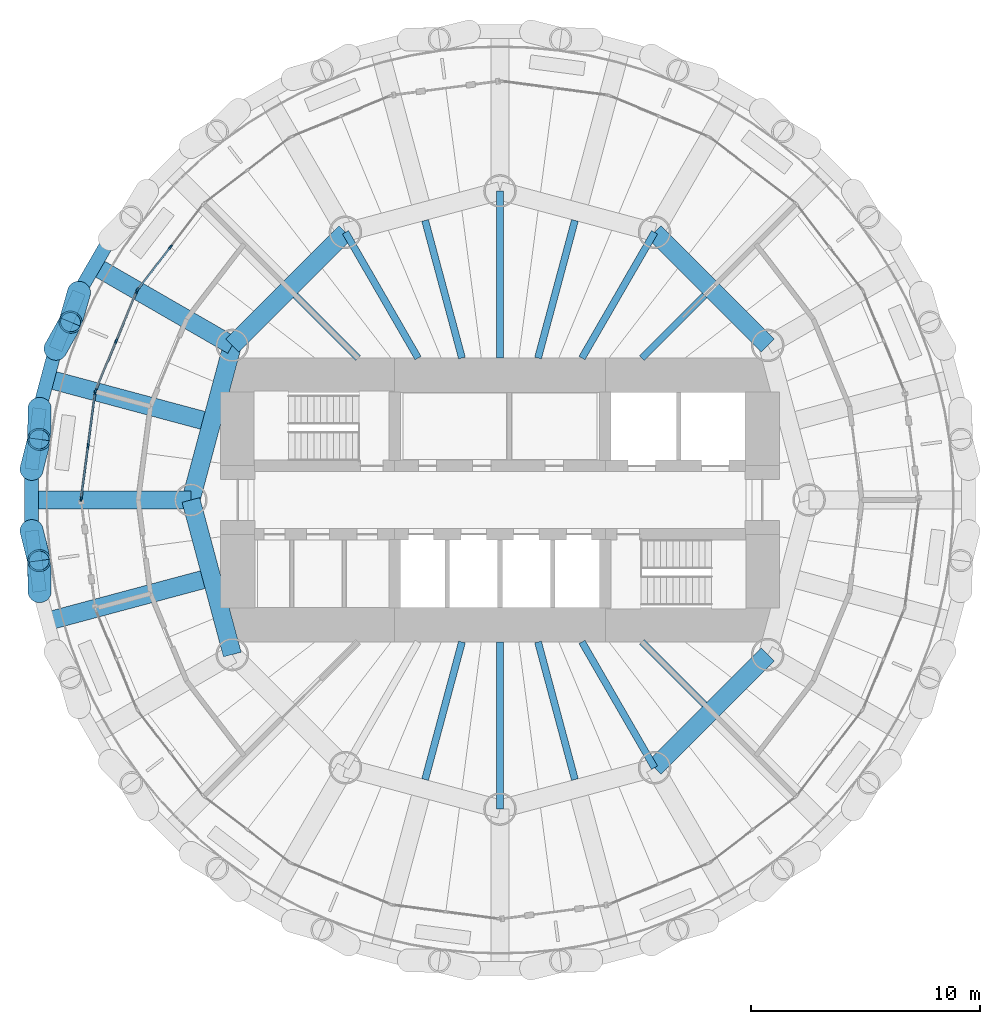
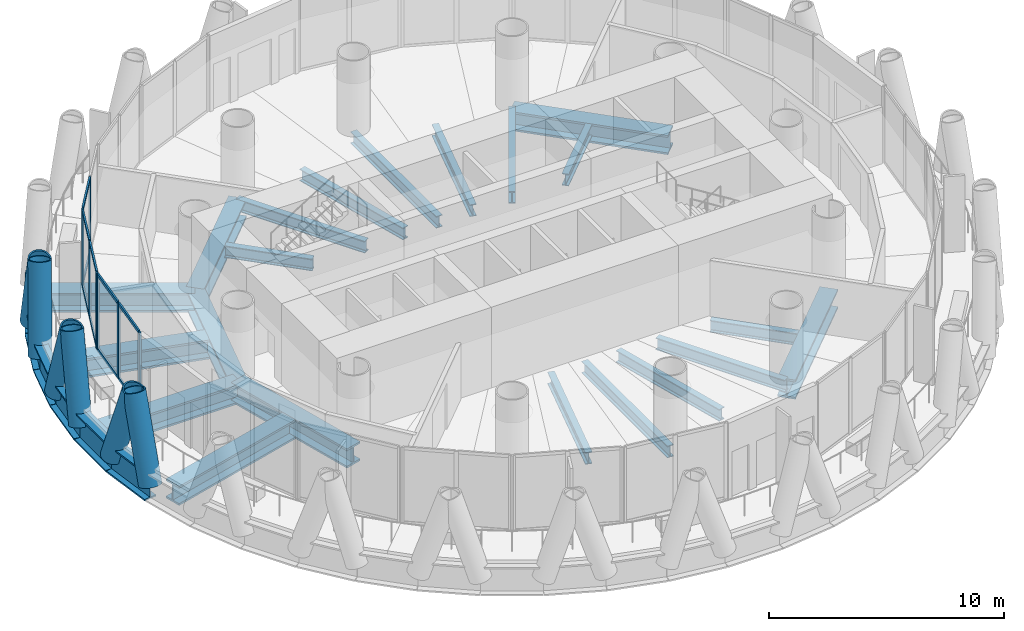
# One storey, part 3 of 13: 27 beams, 24 members, 3 elements without a shape of their own.
"""IFC4 building model written with IfcOpenShell, lengths in metres."""

import ifcopenshell
import ifcopenshell.guid

model = None  # the IFC model being written
_history = None  # IfcOwnerHistory: only IFC2X3 demands one
_inside = {}  # id of a spatial element -> (the spatial element, [elements in it])
_under = {}  # id of a project, library or spatial element -> (it, [spatial elements below it])
_declared = {}  # id of a project -> (the project, [libraries it declares])
_typed = {}  # id of a type object -> (the type object, [elements of that type])
_made_of = {}  # id of a material, layer set ... -> (it, [elements and type objects made of it])


def new_model(schema):
    """Start an empty IFC model of exactly this schema.

    Asked for "IFC4X3", IfcOpenShell would pick the latest addendum, in which some entities
    have other attributes; the version numbers below select the first issue.
    IFC2X3 requires an IfcOwnerHistory on every rooted entity: one is made here for all.
    """
    global model, _history
    if schema == "IFC4X3":
        model = ifcopenshell.file(schema_version=(4, 3, 0, 0))
    else:
        model = ifcopenshell.file(schema=schema)
    _inside.clear()
    _under.clear()
    _declared.clear()
    _typed.clear()
    _made_of.clear()
    _history = None
    if model.schema == "IFC2X3":
        org = make("IfcOrganization", Name="unknown")
        user = make(
            "IfcPersonAndOrganization",
            ThePerson=make("IfcPerson", FamilyName="unknown"),
            TheOrganization=org,
        )
        app = make(
            "IfcApplication",
            ApplicationDeveloper=org,
            Version="unknown",
            ApplicationFullName="unknown",
            ApplicationIdentifier="unknown",
        )
        _history = make(
            "IfcOwnerHistory",
            OwningUser=user,
            OwningApplication=app,
            ChangeAction="ADDED",
            CreationDate=0,
        )
    return model


def make(cls, **values):
    """One entity of the class cls with the attributes given. An attribute that is None is left unset."""
    return model.create_entity(
        cls, **{name: value for name, value in values.items() if value is not None}
    )


def rooted(cls, **values):
    """An entity with a GlobalId (a new one), such as an element, a storey or a relation."""
    return make(cls, GlobalId=ifcopenshell.guid.new(), OwnerHistory=_history, **values)


def si_unit(unit_type, name, prefix=None):
    """IfcSIUnit, for example si_unit("LENGTHUNIT", "METRE", prefix="MILLI")."""
    return make("IfcSIUnit", UnitType=unit_type, Prefix=prefix, Name=name)


def assignment(units):
    """IfcUnitAssignment: the units of a project."""
    return None if units is None else make("IfcUnitAssignment", Units=units)


def point(xyz):
    """IfcCartesianPoint."""
    return None if xyz is None else make("IfcCartesianPoint", Coordinates=xyz)


def direction(xyz):
    """IfcDirection."""
    return None if xyz is None else make("IfcDirection", DirectionRatios=xyz)


def frame(location, z_axis=None, x_axis=None):
    """IfcAxis2Placement3D, a coordinate frame: its origin and axes. An axis left out is left unset."""
    return make(
        "IfcAxis2Placement3D",
        Location=point(location),
        Axis=direction(z_axis),
        RefDirection=direction(x_axis),
    )


def frame_2d(location, x_axis=None):
    """IfcAxis2Placement2D, a coordinate frame in the plane: its origin and x axis."""
    return make(
        "IfcAxis2Placement2D", Location=point(location), RefDirection=direction(x_axis)
    )


def origin():
    """The frame at (0, 0, 0) with its axes left unset."""
    return frame((0.0, 0.0, 0.0))


def origin_2d():
    """The frame at (0, 0) in the plane with its x axis left unset."""
    return frame_2d((0.0, 0.0))


def place(relative_to, where):
    """IfcLocalPlacement: puts the frame where relative to a parent placement (None: the world)."""
    return make(
        "IfcLocalPlacement", PlacementRelTo=relative_to, RelativePlacement=where
    )


def context(
    kind, dimensions, precision=None, world=None, true_north=None, identifier=None
):
    """IfcGeometricRepresentationContext, for example the 3D "Model" context."""
    return make(
        "IfcGeometricRepresentationContext",
        ContextIdentifier=identifier,
        ContextType=kind,
        CoordinateSpaceDimension=dimensions,
        Precision=precision,
        WorldCoordinateSystem=world,
        TrueNorth=true_north,
    )


def subcontext(parent, identifier, kind, view, scale=None):
    """IfcGeometricRepresentationSubContext, for example "Body" below "Model"."""
    return make(
        "IfcGeometricRepresentationSubContext",
        ContextIdentifier=identifier,
        ContextType=kind,
        ParentContext=parent,
        TargetScale=scale,
        TargetView=view,
    )


def project(units=None, contexts=None):
    """IfcProject with its units and contexts."""
    return rooted(
        "IfcProject",
        Name="project",
        RepresentationContexts=contexts,
        UnitsInContext=assignment(units),
    )


def spatial(cls, under=None, at=None, **own):
    """A site, building, storey or space (cls), placed at a placement, below another one or the project."""
    s = rooted(cls, ObjectPlacement=at, **own)
    if under is not None:
        _under.setdefault(under.id(), (under, []))[1].append(s)
    return s


def profile(cls, at=None, kind="AREA", **sizes):
    """A parametric profile (cls). Its sizes go by their IFC names, for example OverallWidth=200.0."""
    return make(cls, ProfileType=kind, Position=at, **sizes)


def rectangle(**sizes):
    """IfcRectangleProfileDef."""
    return profile("IfcRectangleProfileDef", **sizes)


def hollow_circle(**sizes):
    """IfcCircleHollowProfileDef."""
    return profile("IfcCircleHollowProfileDef", **sizes)


def i_section(**sizes):
    """IfcIShapeProfileDef."""
    return profile("IfcIShapeProfileDef", **sizes)


def extrude(swept, where, along, depth):
    """IfcExtrudedAreaSolid: the profile swept, set in the frame where, extruded along a direction by depth."""
    return make(
        "IfcExtrudedAreaSolid",
        SweptArea=swept,
        Position=where,
        ExtrudedDirection=direction(along),
        Depth=depth,
    )


def shape(context_of_items, identifier, shape_type, items):
    """IfcShapeRepresentation: the items that make up one representation, for example the "Body"."""
    return make(
        "IfcShapeRepresentation",
        ContextOfItems=context_of_items,
        RepresentationIdentifier=identifier,
        RepresentationType=shape_type,
        Items=items,
    )


def material(Name=None, Category=None):
    """IfcMaterial."""
    return make("IfcMaterial", Name=Name, Category=Category)


def material_profile(
    of_material, cross_section, Name=None, Category=None, Priority=None
):
    """IfcMaterialProfile: a cross section and its material."""
    return make(
        "IfcMaterialProfile",
        Name=Name,
        Material=of_material,
        Profile=cross_section,
        Priority=Priority,
        Category=Category,
    )


def profile_set(profiles, Name=None, composite=None):
    """IfcMaterialProfileSet."""
    return make(
        "IfcMaterialProfileSet",
        Name=Name,
        MaterialProfiles=profiles,
        CompositeProfile=composite,
    )


def made_of(thing, what):
    """Note that an element or type object is made of a material, layer set ...; save() writes the relation."""
    if what is not None:
        _made_of.setdefault(what.id(), (what, []))[1].append(thing)
    return thing


def type_object(cls, material=None, **own):
    """A type object (cls), such as IfcWallType, which elements share."""
    return made_of(rooted(cls, **own), material)


def element(
    cls,
    number,
    at=None,
    inside=None,
    cuts=None,
    type_object=None,
    material=None,
    context=None,
    identifier="Body",
    shape_type=None,
    held_by="IfcProductDefinitionShape",
    body=None,
    shapes=None,
    **own,
):
    """One element of the class cls, such as IfcWall. Its Tag is "e" and its number.

    at: its placement. inside: the storey or other place that contains it. cuts: it is an
    opening in that element (IfcRelVoidsElement). A single representation is given by context,
    identifier, shape_type and body (its items); several are given by shapes. held_by: the class
    of the entity that holds the representations. save() writes the other relations.
    """
    e = rooted(cls, Tag="e%d" % number, ObjectPlacement=at, **own)
    if body is not None:
        shapes = [shape(context, identifier, shape_type, body)]
    if shapes is not None:
        e.Representation = make(held_by, Representations=shapes)
    if inside is not None:
        _inside.setdefault(inside.id(), (inside, []))[1].append(e)
    if cuts is not None:
        rooted(
            "IfcRelVoidsElement", RelatingBuildingElement=cuts, RelatedOpeningElement=e
        )
    if type_object is not None:
        _typed.setdefault(type_object.id(), (type_object, []))[1].append(e)
    return made_of(e, material)


def aggregate(whole, parts):
    """IfcRelAggregates: a whole, such as a stair, and the parts it consists of."""
    return rooted("IfcRelAggregates", RelatingObject=whole, RelatedObjects=parts)


def save(model, path):
    """Write the relations noted so far, then the file.

    IfcRelAggregates (storeys below a building ...), IfcRelContainedInSpatialStructure (elements
    in a storey), IfcRelDefinesByType, IfcRelAssociatesMaterial and IfcRelDeclares: one each for
    every whole, place, type object, material and project.
    """
    for whole, parts in _under.values():
        aggregate(whole, parts)
    for where, things in _inside.values():
        rooted(
            "IfcRelContainedInSpatialStructure",
            RelatedElements=things,
            RelatingStructure=where,
        )
    for kind, things in _typed.values():
        rooted("IfcRelDefinesByType", RelatedObjects=things, RelatingType=kind)
    for what, things in _made_of.values():
        rooted("IfcRelAssociatesMaterial", RelatedObjects=things, RelatingMaterial=what)
    for by, libraries in _declared.values():
        rooted("IfcRelDeclares", RelatingContext=by, RelatedDefinitions=libraries)
    model.write(path)


model = new_model("IFC4")

# Units and contexts
model_context = context("Model", 3, precision=1e-05, world=origin(), true_north=direction((0.0, 1.0)))
body_context = subcontext(model_context, "Body", "Model", "MODEL_VIEW")
ifc_project = project(units=[si_unit("LENGTHUNIT", "METRE"), si_unit("AREAUNIT", "SQUARE_METRE"), si_unit("VOLUMEUNIT", "CUBIC_METRE"), si_unit("PLANEANGLEUNIT", "RADIAN"), si_unit("MASSUNIT", "GRAM", prefix="KILO")], contexts=[model_context])

# Site, building, storey
site_placement = place(None, origin())
site = spatial("IfcSite", under=ifc_project, at=site_placement, CompositionType="ELEMENT")
building_placement = place(site_placement, origin())
building = spatial("IfcBuilding", under=site, at=building_placement, Name="Qaws Media Tower", CompositionType="ELEMENT")
storey_placement = place(building_placement, frame((0.0, 0.0, 282.199951171875)))
storey = spatial("IfcBuildingStorey", under=building, at=storey_placement, Name="L65", CompositionType="ELEMENT", Elevation=282.199951171875)

# Curtain wall, members
ifc_material_1 = material(Name="Aluminium and clear glass", Category="aluminium")
curtain_wall_type = type_object("IfcCurtainWallType", Name="Unitised curtain wall CW-D", PredefinedType="NOTDEFINED", material=ifc_material_1)
curtain_wall_1_placement = place(storey_placement, origin())
curtain_wall_1 = element("IfcCurtainWall", 1, at=curtain_wall_1_placement, inside=storey, type_object=curtain_wall_type, Name="CWD curtain wall L65-10", PredefinedType="NOTDEFINED")
ifc_material_2 = material(Name="Aluminium mullion", Category="aluminium")
ifc_material_profile_1 = material_profile(ifc_material_2, rectangle(XDim=0.080078125, YDim=0.199951171875, at=origin_2d()), Name="80x200")
ifc_profile_set_1 = profile_set([ifc_material_profile_1], Name="Aluminium mullion")
member_type_1 = type_object("IfcMemberType", Name="Curtain wall mullion 80x200", PredefinedType="MULLION", material=ifc_profile_set_1)
member_1_placement = place(storey_placement, frame((45.60595703125, 61.044921875, 0.0), z_axis=(0.0, 0.0, 1.0), x_axis=(0.793353311997, -0.608761465882, 0.0)))
member_1 = element("IfcMember", 2, at=member_1_placement, type_object=member_type_1, Name="CWD mullion 2", PredefinedType="MULLION", context=body_context, shape_type="SweptSolid", body=[
    extrude(rectangle(XDim=0.080078125, YDim=0.199951171875, at=origin_2d()), origin(), (0.0, 0.0, 1.0), 3.949951171875),
])
member_2_placement = place(storey_placement, frame((44.176025390625, 59.181640625, 0.0), z_axis=(0.0, 0.0, 1.0), x_axis=(0.793353311997, -0.608761465882, 0.0)))
member_2 = element("IfcMember", 3, at=member_2_placement, type_object=member_type_1, Name="CWD mullion 3", PredefinedType="MULLION", context=body_context, shape_type="SweptSolid", body=[
    extrude(rectangle(XDim=0.080078125, YDim=0.199951171875, at=origin_2d()), origin(), (0.0, 0.0, 1.0), 3.949951171875),
])

curtain_wall_2_placement = place(storey_placement, origin())
curtain_wall_2 = element("IfcCurtainWall", 4, at=curtain_wall_2_placement, inside=storey, type_object=curtain_wall_type, Name="CWD curtain wall L65-11", PredefinedType="NOTDEFINED")
member_3_placement = place(storey_placement, frame((44.136474609375, 59.113037109375, 0.0), z_axis=(0.0, 0.0, 1.0), x_axis=(0.923879498114, -0.382683515407, 0.0)))
member_3 = element("IfcMember", 5, at=member_3_placement, type_object=member_type_1, Name="CWD mullion 1", PredefinedType="MULLION", context=body_context, shape_type="SweptSolid", body=[
    extrude(rectangle(XDim=0.080078125, YDim=0.199951171875, at=origin_2d()), origin(), (0.0, 0.0, 1.0), 3.949951171875),
])
member_4_placement = place(storey_placement, frame((43.237548828125, 56.943115234375, 0.0), z_axis=(0.0, 0.0, 1.0), x_axis=(0.923879498114, -0.382683515407, 0.0)))
member_4 = element("IfcMember", 6, at=member_4_placement, type_object=member_type_1, Name="CWD mullion 2", PredefinedType="MULLION", context=body_context, shape_type="SweptSolid", body=[
    extrude(rectangle(XDim=0.080078125, YDim=0.199951171875, at=origin_2d()), origin(), (0.0, 0.0, 1.0), 3.949951171875),
])
member_5_placement = place(storey_placement, frame((42.3388671875, 54.7734375, 0.0), z_axis=(0.0, 0.0, 1.0), x_axis=(0.923879498114, -0.382683515407, 0.0)))
member_5 = element("IfcMember", 7, at=member_5_placement, type_object=member_type_1, Name="CWD mullion 3", PredefinedType="MULLION", context=body_context, shape_type="SweptSolid", body=[
    extrude(rectangle(XDim=0.080078125, YDim=0.199951171875, at=origin_2d()), origin(), (0.0, 0.0, 1.0), 3.949951171875),
])

curtain_wall_3_placement = place(storey_placement, origin())
curtain_wall_3 = element("IfcCurtainWall", 8, at=curtain_wall_3_placement, inside=storey, type_object=curtain_wall_type, Name="CWD curtain wall L65-12", PredefinedType="NOTDEFINED")
member_6_placement = place(storey_placement, frame((42.318359375, 54.69677734375, 0.0), z_axis=(0.0, 0.0, 1.0), x_axis=(0.991444873332, -0.130526101391, 0.0)))
member_6 = element("IfcMember", 9, at=member_6_placement, type_object=member_type_1, Name="CWD mullion 1", PredefinedType="MULLION", context=body_context, shape_type="SweptSolid", body=[
    extrude(rectangle(XDim=0.080078125, YDim=0.199951171875, at=origin_2d()), origin(), (0.0, 0.0, 1.0), 3.949951171875),
])
member_7_placement = place(storey_placement, frame((42.01171875, 52.3681640625, 0.0), z_axis=(0.0, 0.0, 1.0), x_axis=(0.991444873332, -0.130526101391, 0.0)))
member_7 = element("IfcMember", 10, at=member_7_placement, type_object=member_type_1, Name="CWD mullion 2", PredefinedType="MULLION", context=body_context, shape_type="SweptSolid", body=[
    extrude(rectangle(XDim=0.080078125, YDim=0.199951171875, at=origin_2d()), origin(), (0.0, 0.0, 1.0), 3.949951171875),
])
member_8_placement = place(storey_placement, frame((41.705322265625, 50.03955078125, 0.0), z_axis=(0.0, 0.0, 1.0), x_axis=(0.991444873332, -0.130526101391, 0.0)))
member_8 = element("IfcMember", 11, at=member_8_placement, type_object=member_type_1, Name="CWD mullion 3", PredefinedType="MULLION", context=body_context, shape_type="SweptSolid", body=[
    extrude(rectangle(XDim=0.080078125, YDim=0.199951171875, at=origin_2d()), origin(), (0.0, 0.0, 1.0), 3.949951171875),
])

# Member
ifc_material_3 = material(Name="Aluminium transom", Category="aluminium")
ifc_material_profile_2 = material_profile(ifc_material_3, rectangle(XDim=0.080078125, YDim=0.159912109375, at=origin_2d()), Name="80x160")
ifc_profile_set_2 = profile_set([ifc_material_profile_2], Name="Aluminium transom")
member_type_2 = type_object("IfcMemberType", Name="Curtain wall transom 80x160", PredefinedType="USERDEFINED", material=ifc_profile_set_2)
member_9_placement = place(storey_placement, frame((45.58154296875, 61.01318359375, 0.0400390625), z_axis=(-0.608779408493, -0.793339543824, 0.0), x_axis=(0.793339543824, -0.608779408493, 0.0)))
member_9 = element("IfcMember", 12, at=member_9_placement, type_object=member_type_2, Name="CWD transom 2.1", ObjectType="TRANSOM", PredefinedType="USERDEFINED", context=body_context, shape_type="SweptSolid", body=[
    extrude(rectangle(XDim=0.080078125, YDim=0.159912109375, at=origin_2d()), origin(), (0.0, 0.0, 1.0), 2.2685546875),
])

member_10_placement = place(storey_placement, frame((45.58154296875, 61.01318359375, 3.91015625), z_axis=(-0.608779408493, -0.793339543824, 0.0), x_axis=(0.793339543824, -0.608779408493, 0.0)))
member_10 = element("IfcMember", 13, at=member_10_placement, type_object=member_type_2, Name="CWD transom 2.2", ObjectType="TRANSOM", PredefinedType="USERDEFINED", context=body_context, shape_type="SweptSolid", body=[
    extrude(rectangle(XDim=0.080078125, YDim=0.159912109375, at=origin_2d()), origin(), (0.0, 0.0, 1.0), 2.2685546875),
])

aggregate(curtain_wall_1, [member_1, member_2, member_9, member_10])

member_11_placement = place(storey_placement, frame((44.12109375, 59.076171875, 0.0400390625), z_axis=(-0.382681279912, -0.923880424084, 0.0), x_axis=(0.923880424084, -0.382681279912, 0.0)))
member_11 = element("IfcMember", 14, at=member_11_placement, type_object=member_type_2, Name="CWD transom 1.1", ObjectType="TRANSOM", PredefinedType="USERDEFINED", context=body_context, shape_type="SweptSolid", body=[
    extrude(rectangle(XDim=0.080078125, YDim=0.159912109375, at=origin_2d()), origin(), (0.0, 0.0, 1.0), 2.2685546875),
])

member_12_placement = place(storey_placement, frame((44.12109375, 59.076171875, 3.91015625), z_axis=(-0.382681279912, -0.923880424084, 0.0), x_axis=(0.923880424084, -0.382681279912, 0.0)))
member_12 = element("IfcMember", 15, at=member_12_placement, type_object=member_type_2, Name="CWD transom 1.2", ObjectType="TRANSOM", PredefinedType="USERDEFINED", context=body_context, shape_type="SweptSolid", body=[
    extrude(rectangle(XDim=0.080078125, YDim=0.159912109375, at=origin_2d()), origin(), (0.0, 0.0, 1.0), 2.2685546875),
])

member_13_placement = place(storey_placement, frame((43.222412109375, 56.90625, 0.0400390625), z_axis=(-0.382681279912, -0.923880424084, 0.0), x_axis=(0.923880424084, -0.382681279912, 0.0)))
member_13 = element("IfcMember", 16, at=member_13_placement, type_object=member_type_2, Name="CWD transom 2.1", ObjectType="TRANSOM", PredefinedType="USERDEFINED", context=body_context, shape_type="SweptSolid", body=[
    extrude(rectangle(XDim=0.080078125, YDim=0.159912109375, at=origin_2d()), origin(), (0.0, 0.0, 1.0), 2.2685546875),
])

member_14_placement = place(storey_placement, frame((43.222412109375, 56.90625, 3.91015625), z_axis=(-0.382681279912, -0.923880424084, 0.0), x_axis=(0.923880424084, -0.382681279912, 0.0)))
member_14 = element("IfcMember", 17, at=member_14_placement, type_object=member_type_2, Name="CWD transom 2.2", ObjectType="TRANSOM", PredefinedType="USERDEFINED", context=body_context, shape_type="SweptSolid", body=[
    extrude(rectangle(XDim=0.080078125, YDim=0.159912109375, at=origin_2d()), origin(), (0.0, 0.0, 1.0), 2.2685546875),
])

aggregate(curtain_wall_2, [member_3, member_4, member_5, member_11, member_12, member_13, member_14])

member_15_placement = place(storey_placement, frame((42.313232421875, 54.656982421875, 0.0400390625), z_axis=(-0.130549169259, -0.991441836118, 0.0), x_axis=(0.991441836118, -0.130549169259, 0.0)))
member_15 = element("IfcMember", 18, at=member_15_placement, type_object=member_type_2, Name="CWD transom 1.1", ObjectType="TRANSOM", PredefinedType="USERDEFINED", context=body_context, shape_type="SweptSolid", body=[
    extrude(rectangle(XDim=0.080078125, YDim=0.159912109375, at=origin_2d()), origin(), (0.0, 0.0, 1.0), 2.2685546875),
])

member_16_placement = place(storey_placement, frame((42.313232421875, 54.656982421875, 3.91015625), z_axis=(-0.130549169259, -0.991441836118, 0.0), x_axis=(0.991441836118, -0.130549169259, 0.0)))
member_16 = element("IfcMember", 19, at=member_16_placement, type_object=member_type_2, Name="CWD transom 1.2", ObjectType="TRANSOM", PredefinedType="USERDEFINED", context=body_context, shape_type="SweptSolid", body=[
    extrude(rectangle(XDim=0.080078125, YDim=0.159912109375, at=origin_2d()), origin(), (0.0, 0.0, 1.0), 2.2685546875),
])

member_17_placement = place(storey_placement, frame((42.006591796875, 52.32861328125, 0.0400390625), z_axis=(-0.130535240618, -0.991443670088, 0.0), x_axis=(0.991443670088, -0.130535240618, 0.0)))
member_17 = element("IfcMember", 20, at=member_17_placement, type_object=member_type_2, Name="CWD transom 2.1", ObjectType="TRANSOM", PredefinedType="USERDEFINED", context=body_context, shape_type="SweptSolid", body=[
    extrude(rectangle(XDim=0.080078125, YDim=0.159912109375, at=origin_2d()), origin(), (0.0, 0.0, 1.0), 2.268798828125),
])

member_18_placement = place(storey_placement, frame((42.006591796875, 52.32861328125, 3.91015625), z_axis=(-0.130535240618, -0.991443670088, 0.0), x_axis=(0.991443670088, -0.130535240618, 0.0)))
member_18 = element("IfcMember", 21, at=member_18_placement, type_object=member_type_2, Name="CWD transom 2.2", ObjectType="TRANSOM", PredefinedType="USERDEFINED", context=body_context, shape_type="SweptSolid", body=[
    extrude(rectangle(XDim=0.080078125, YDim=0.159912109375, at=origin_2d()), origin(), (0.0, 0.0, 1.0), 2.268798828125),
])

aggregate(curtain_wall_3, [member_6, member_7, member_8, member_15, member_16, member_17, member_18])

# Members
ifc_material_4 = material(Name="Steel S460", Category="steel")
ifc_material_profile_3 = material_profile(ifc_material_4, hollow_circle(Radius=0.508056640625, WallThickness=0.070068359375, at=origin_2d()), Name="CHS 1016x70")
ifc_profile_set_3 = profile_set([ifc_material_profile_3], Name="Steel S460")
member_type_3 = type_object("IfcMemberType", Name="Diagrid member CHS 1016x70", PredefinedType="USERDEFINED", material=ifc_profile_set_3)
member_19_placement = place(storey_placement, frame((41.614013671875, 59.06689453125, -0.909912109375), z_axis=(-0.085221723716, -0.300138494517, 0.950081123861), x_axis=(0.961973173283, -0.273143943523, 0.0)))
element("IfcMember", 22, at=member_19_placement, inside=storey, type_object=member_type_3, Name="DG3 diagrid L65 A11", ObjectType="DIAGRID", PredefinedType="USERDEFINED", context=body_context, shape_type="SweptSolid", body=[
    extrude(hollow_circle(Radius=0.508056640625, WallThickness=0.070068359375, at=origin_2d()), origin(), (0.0, 0.0, 1.0), 4.32568359375),
])
for number, where, z_axis, x_axis, name in (
    (23, (39.893798828125, 53.999267578125, -0.909912109375), (-0.00462790309, -0.311988393673, 0.95007464166), (0.999890000686, -0.014831942847, 0.0), "DG3 diagrid L65 A12"),
    (24, (40.587890625, 56.589599609375, -0.909912109375), (0.151985662051, 0.272535745282, 0.950065590407), (-0.873371271872, 0.487055049731, 0.0), "DG3 diagrid L65 B12"),
    (25, (39.5439453125, 48.6591796875, -0.909912109375), (0.076247523599, -0.30256326722, 0.950074620477), (0.969683260864, 0.244365246302, 0.0), "DG3 diagrid L65 A13"),
    (26, (39.5439453125, 51.3408203125, -0.909912109375), (0.076247523599, 0.30256326722, 0.950074620477), (-0.969683260864, 0.244365246302, 0.0), "DG3 diagrid L65 B13"),
    (27, (39.893798828125, 46.000732421875, -0.909912109375), (-0.00462790309, 0.311988393673, 0.95007464166), (-0.999890000686, -0.014831942847, 0.0), "DG3 diagrid L65 B14"),
):
    element("IfcMember", number, at=place(storey_placement, frame(where, z_axis=z_axis, x_axis=x_axis)), inside=storey, type_object=member_type_3, Name=name, ObjectType="DIAGRID", PredefinedType="USERDEFINED", context=body_context, shape_type="SweptSolid", body=[
        extrude(hollow_circle(Radius=0.508056640625, WallThickness=0.070068359375, at=origin_2d()), origin(), (0.0, 0.0, 1.0), 4.325927734375),
    ])

# Beams
ifc_material_5 = material(Name="Steel S460", Category="steel")
ifc_material_profile_4 = material_profile(ifc_material_5, i_section(OverallWidth=0.60009765625, OverallDepth=1.5, WebThickness=0.030029296875, FlangeThickness=0.080078125, at=origin_2d()), Name="PG 1500x600")
ifc_profile_set_4 = profile_set([ifc_material_profile_4], Name="Steel S460")
beam_type_1 = type_object("IfcBeamType", Name="Edge ring beam PG 1500x600", PredefinedType="BEAM", material=ifc_profile_set_4)
beam_1_placement = place(storey_placement, frame((42.954833984375, 61.38916015625, -0.909912109375), z_axis=(-0.500016677412, -0.866015774862, 0.0), x_axis=(0.866015774862, -0.500016677412, 0.0)))
element("IfcBeam", 28, at=beam_1_placement, inside=storey, type_object=beam_type_1, Name="RB5 edge ring beam L65-20", PredefinedType="BEAM", context=body_context, shape_type="SweptSolid", body=[
    extrude(i_section(OverallWidth=0.60009765625, OverallDepth=1.5, WebThickness=0.030029296875, FlangeThickness=0.080078125, at=origin_2d()), origin(), (0.0, 0.0, 1.0), 2.681640625),
])
beam_2_placement = place(storey_placement, frame((41.614013671875, 59.06689453125, -0.909912109375), z_axis=(-0.38268148812, -0.923880337842, 0.0), x_axis=(0.923880337842, -0.38268148812, 0.0)))
element("IfcBeam", 29, at=beam_2_placement, inside=storey, type_object=beam_type_1, Name="RB5 edge ring beam L65-21", PredefinedType="BEAM", context=body_context, shape_type="SweptSolid", body=[
    extrude(i_section(OverallWidth=0.60009765625, OverallDepth=1.5, WebThickness=0.030029296875, FlangeThickness=0.080078125, at=origin_2d()), origin(), (0.0, 0.0, 1.0), 2.681396484375),
])
beam_3_placement = place(storey_placement, frame((40.587890625, 56.589599609375, -0.909912109375), z_axis=(-0.258824062397, -0.965924481895, 0.0), x_axis=(0.965924481895, -0.258824062397, 0.0)))
element("IfcBeam", 30, at=beam_3_placement, inside=storey, type_object=beam_type_1, Name="RB5 edge ring beam L65-22", PredefinedType="BEAM", context=body_context, shape_type="SweptSolid", body=[
    extrude(i_section(OverallWidth=0.60009765625, OverallDepth=1.5, WebThickness=0.030029296875, FlangeThickness=0.080078125, at=origin_2d()), origin(), (0.0, 0.0, 1.0), 2.681640625),
])
beam_4_placement = place(storey_placement, frame((39.893798828125, 53.999267578125, -0.909912109375), z_axis=(-0.130475710195, -0.991451506151, 0.0), x_axis=(0.991451506151, -0.130475710195, 0.0)))
element("IfcBeam", 31, at=beam_4_placement, inside=storey, type_object=beam_type_1, Name="RB5 edge ring beam L65-23", PredefinedType="BEAM", context=body_context, shape_type="SweptSolid", body=[
    extrude(i_section(OverallWidth=0.60009765625, OverallDepth=1.5, WebThickness=0.030029296875, FlangeThickness=0.080078125, at=origin_2d()), origin(), (0.0, 0.0, 1.0), 2.681396484375),
])
beam_5_placement = place(storey_placement, frame((39.5439453125, 51.3408203125, -0.909912109375), z_axis=(0.0, -1.0, 0.0), x_axis=(1.0, 0.0, 0.0)))
element("IfcBeam", 32, at=beam_5_placement, inside=storey, type_object=beam_type_1, Name="RB5 edge ring beam L65-24", PredefinedType="BEAM", context=body_context, shape_type="SweptSolid", body=[
    extrude(i_section(OverallWidth=0.60009765625, OverallDepth=1.5, WebThickness=0.030029296875, FlangeThickness=0.080078125, at=origin_2d()), origin(), (0.0, 0.0, 1.0), 2.681640625),
])
beam_6_placement = place(storey_placement, frame((39.5439453125, 48.6591796875, -0.909912109375), z_axis=(0.130475710195, -0.991451506151, 0.0), x_axis=(0.991451506151, 0.130475710195, 0.0)))
element("IfcBeam", 33, at=beam_6_placement, inside=storey, type_object=beam_type_1, Name="RB5 edge ring beam L65-25", PredefinedType="BEAM", context=body_context, shape_type="SweptSolid", body=[
    extrude(i_section(OverallWidth=0.60009765625, OverallDepth=1.5, WebThickness=0.030029296875, FlangeThickness=0.080078125, at=origin_2d()), origin(), (0.0, 0.0, 1.0), 2.681396484375),
])
ifc_material_6 = material(Name="Steel S460", Category="steel")
ifc_material_profile_5 = material_profile(ifc_material_6, i_section(OverallWidth=0.800048828125, OverallDepth=1.0, WebThickness=0.0400390625, FlangeThickness=0.10009765625, at=origin_2d()), Name="PG 1000x800")
ifc_profile_set_5 = profile_set([ifc_material_profile_5], Name="Steel S460")
beam_type_2 = type_object("IfcBeamType", Name="Inner ring girder PG 1000x800", PredefinedType="BEAM", material=ifc_profile_set_5)
for number, where, z_axis, x_axis, name in (
    (34, (71.69140625, 56.75, -0.659912109375), (-0.707106781187, 0.707106781187, 0.0), (-0.707106781187, -0.707106781187, 0.0), "B3 inner ring beam L65 I02-I03"),
    (35, (53.25, 61.69140625, -0.659912109375), (-0.707106781187, -0.707106781187, 0.0), (0.707106781187, -0.707106781187, 0.0), "B3 inner ring beam L65 I05-I06"),
):
    element("IfcBeam", number, at=place(storey_placement, frame(where, z_axis=z_axis, x_axis=x_axis)), inside=storey, type_object=beam_type_2, Name=name, PredefinedType="BEAM", context=body_context, shape_type="SweptSolid", body=[
        extrude(i_section(OverallWidth=0.800048828125, OverallDepth=1.0, WebThickness=0.0400390625, FlangeThickness=0.10009765625, at=origin_2d()), origin(), (0.0, 0.0, 1.0), 6.98828125),
    ])
for number, where, z_axis, x_axis, name in (
    (36, (48.30859375, 56.75, -0.659912109375), (-0.258810593767, -0.965928090778, 0.0), (0.965928090778, -0.258810593767, 0.0), "B3 inner ring beam L65 I06-I07"),
    (37, (46.5, 50.0, -0.659912109375), (0.258810593767, -0.965928090778, 0.0), (0.965928090778, 0.258810593767, 0.0), "B3 inner ring beam L65 I07-I08"),
):
    element("IfcBeam", number, at=place(storey_placement, frame(where, z_axis=z_axis, x_axis=x_axis)), inside=storey, type_object=beam_type_2, Name=name, PredefinedType="BEAM", context=body_context, shape_type="SweptSolid", body=[
        extrude(i_section(OverallWidth=0.800048828125, OverallDepth=1.0, WebThickness=0.0400390625, FlangeThickness=0.10009765625, at=origin_2d()), origin(), (0.0, 0.0, 1.0), 6.988037109375),
    ])
beam_7_placement = place(storey_placement, frame((66.75, 38.30859375, -0.659912109375), z_axis=(0.707106781187, 0.707106781187, 0.0), x_axis=(-0.707106781187, 0.707106781187, 0.0)))
element("IfcBeam", 38, at=beam_7_placement, inside=storey, type_object=beam_type_2, Name="B3 inner ring beam L65 I11-I12", PredefinedType="BEAM", context=body_context, shape_type="SweptSolid", body=[
    extrude(i_section(OverallWidth=0.800048828125, OverallDepth=1.0, WebThickness=0.0400390625, FlangeThickness=0.10009765625, at=origin_2d()), origin(), (0.0, 0.0, 1.0), 6.98828125),
])
ifc_material_7 = material(Name="Steel S355", Category="steel")
ifc_material_profile_6 = material_profile(ifc_material_7, i_section(OverallWidth=0.304931640625, OverallDepth=0.6201171875, WebThickness=0.02099609375, FlangeThickness=0.0400390625, FilletRadius=0.027099609375, at=origin_2d()), Name="HE 600 M")
ifc_profile_set_6 = profile_set([ifc_material_profile_6], Name="Steel S355")
beam_type_3 = type_object("IfcBeamType", Name="Radial beam HE 600 M, core side", PredefinedType="BEAM", material=ifc_profile_set_6)
beam_8_placement = place(storey_placement, frame((66.199951171875, 56.199951171875, -0.469970703125), z_axis=(0.707106781187, 0.707106781187, 0.0), x_axis=(-0.707106781187, 0.707106781187, 0.0)))
element("IfcBeam", 39, at=beam_8_placement, inside=storey, type_object=beam_type_3, Name="B2 radial beam L65 04", PredefinedType="BEAM", context=body_context, shape_type="SweptSolid", body=[
    extrude(i_section(OverallWidth=0.304931640625, OverallDepth=0.6201171875, WebThickness=0.02099609375, FlangeThickness=0.0400390625, FilletRadius=0.027099609375, at=origin_2d()), origin(), (0.0, 0.0, 1.0), 3.871826171875),
])
beam_9_placement = place(storey_placement, frame((63.57958984375, 56.199951171875, -0.469970703125), z_axis=(0.499990193304, 0.866031065609, 0.0), x_axis=(-0.866031065609, 0.499990193304, 0.0)))
element("IfcBeam", 40, at=beam_9_placement, inside=storey, type_object=beam_type_3, Name="B2 radial beam L65 05", PredefinedType="BEAM", context=body_context, shape_type="SweptSolid", body=[
    extrude(i_section(OverallWidth=0.304931640625, OverallDepth=0.6201171875, WebThickness=0.02099609375, FlangeThickness=0.0400390625, FilletRadius=0.027099609375, at=origin_2d()), origin(), (0.0, 0.0, 1.0), 6.341064453125),
])
beam_10_placement = place(storey_placement, frame((61.661376953125, 56.199951171875, -0.469970703125), z_axis=(0.258808008719, 0.965928783412, 0.0), x_axis=(-0.965928783412, 0.258808008719, 0.0)))
element("IfcBeam", 41, at=beam_10_placement, inside=storey, type_object=beam_type_3, Name="B2 radial beam L65 06", PredefinedType="BEAM", context=body_context, shape_type="SweptSolid", body=[
    extrude(i_section(OverallWidth=0.304931640625, OverallDepth=0.6201171875, WebThickness=0.02099609375, FlangeThickness=0.0400390625, FilletRadius=0.027099609375, at=origin_2d()), origin(), (0.0, 0.0, 1.0), 6.22119140625),
])
beam_11_placement = place(storey_placement, frame((60.0, 56.199951171875, -0.469970703125), z_axis=(0.0, 1.0, 0.0), x_axis=(-1.0, 0.0, 0.0)))
element("IfcBeam", 42, at=beam_11_placement, inside=storey, type_object=beam_type_3, Name="B2 radial beam L65 07", PredefinedType="BEAM", context=body_context, shape_type="SweptSolid", body=[
    extrude(i_section(OverallWidth=0.304931640625, OverallDepth=0.6201171875, WebThickness=0.02099609375, FlangeThickness=0.0400390625, FilletRadius=0.027099609375, at=origin_2d()), origin(), (0.0, 0.0, 1.0), 7.300048828125),
])
beam_12_placement = place(storey_placement, frame((58.338623046875, 56.199951171875, -0.469970703125), z_axis=(-0.258808008719, 0.965928783412, 0.0), x_axis=(-0.965928783412, -0.258808008719, 0.0)))
element("IfcBeam", 43, at=beam_12_placement, inside=storey, type_object=beam_type_3, Name="B2 radial beam L65 08", PredefinedType="BEAM", context=body_context, shape_type="SweptSolid", body=[
    extrude(i_section(OverallWidth=0.304931640625, OverallDepth=0.6201171875, WebThickness=0.02099609375, FlangeThickness=0.0400390625, FilletRadius=0.027099609375, at=origin_2d()), origin(), (0.0, 0.0, 1.0), 6.22119140625),
])
beam_13_placement = place(storey_placement, frame((56.42041015625, 56.199951171875, -0.469970703125), z_axis=(-0.499990193304, 0.866031065609, 0.0), x_axis=(-0.866031065609, -0.499990193304, 0.0)))
element("IfcBeam", 44, at=beam_13_placement, inside=storey, type_object=beam_type_3, Name="B2 radial beam L65 09", PredefinedType="BEAM", context=body_context, shape_type="SweptSolid", body=[
    extrude(i_section(OverallWidth=0.304931640625, OverallDepth=0.6201171875, WebThickness=0.02099609375, FlangeThickness=0.0400390625, FilletRadius=0.027099609375, at=origin_2d()), origin(), (0.0, 0.0, 1.0), 6.341064453125),
])
beam_14_placement = place(storey_placement, frame((53.800048828125, 56.199951171875, -0.469970703125), z_axis=(-0.707106781187, 0.707106781187, 0.0), x_axis=(-0.707106781187, -0.707106781187, 0.0)))
element("IfcBeam", 45, at=beam_14_placement, inside=storey, type_object=beam_type_3, Name="B2 radial beam L65 10", PredefinedType="BEAM", context=body_context, shape_type="SweptSolid", body=[
    extrude(i_section(OverallWidth=0.304931640625, OverallDepth=0.6201171875, WebThickness=0.02099609375, FlangeThickness=0.0400390625, FilletRadius=0.027099609375, at=origin_2d()), origin(), (0.0, 0.0, 1.0), 3.871826171875),
])
beam_15_placement = place(storey_placement, frame((58.338623046875, 43.800048828125, -0.469970703125), z_axis=(-0.258808008719, -0.965928783412, 0.0), x_axis=(0.965928783412, -0.258808008719, 0.0)))
element("IfcBeam", 46, at=beam_15_placement, inside=storey, type_object=beam_type_3, Name="B2 radial beam L65 18", PredefinedType="BEAM", context=body_context, shape_type="SweptSolid", body=[
    extrude(i_section(OverallWidth=0.304931640625, OverallDepth=0.6201171875, WebThickness=0.02099609375, FlangeThickness=0.0400390625, FilletRadius=0.027099609375, at=origin_2d()), origin(), (0.0, 0.0, 1.0), 6.22119140625),
])
beam_16_placement = place(storey_placement, frame((60.0, 43.800048828125, -0.469970703125), z_axis=(0.0, -1.0, 0.0), x_axis=(1.0, 0.0, 0.0)))
element("IfcBeam", 47, at=beam_16_placement, inside=storey, type_object=beam_type_3, Name="B2 radial beam L65 19", PredefinedType="BEAM", context=body_context, shape_type="SweptSolid", body=[
    extrude(i_section(OverallWidth=0.304931640625, OverallDepth=0.6201171875, WebThickness=0.02099609375, FlangeThickness=0.0400390625, FilletRadius=0.027099609375, at=origin_2d()), origin(), (0.0, 0.0, 1.0), 7.300048828125),
])
beam_17_placement = place(storey_placement, frame((61.661376953125, 43.800048828125, -0.469970703125), z_axis=(0.258808008719, -0.965928783412, 0.0), x_axis=(0.965928783412, 0.258808008719, 0.0)))
element("IfcBeam", 48, at=beam_17_placement, inside=storey, type_object=beam_type_3, Name="B2 radial beam L65 20", PredefinedType="BEAM", context=body_context, shape_type="SweptSolid", body=[
    extrude(i_section(OverallWidth=0.304931640625, OverallDepth=0.6201171875, WebThickness=0.02099609375, FlangeThickness=0.0400390625, FilletRadius=0.027099609375, at=origin_2d()), origin(), (0.0, 0.0, 1.0), 6.22119140625),
])
beam_18_placement = place(storey_placement, frame((63.57958984375, 43.800048828125, -0.469970703125), z_axis=(0.499990193304, -0.866031065609, 0.0), x_axis=(0.866031065609, 0.499990193304, 0.0)))
element("IfcBeam", 49, at=beam_18_placement, inside=storey, type_object=beam_type_3, Name="B2 radial beam L65 21", PredefinedType="BEAM", context=body_context, shape_type="SweptSolid", body=[
    extrude(i_section(OverallWidth=0.304931640625, OverallDepth=0.6201171875, WebThickness=0.02099609375, FlangeThickness=0.0400390625, FilletRadius=0.027099609375, at=origin_2d()), origin(), (0.0, 0.0, 1.0), 6.341064453125),
])
beam_19_placement = place(storey_placement, frame((66.199951171875, 43.800048828125, -0.469970703125), z_axis=(0.707106781187, -0.707106781187, 0.0), x_axis=(0.707106781187, 0.707106781187, 0.0)))
element("IfcBeam", 50, at=beam_19_placement, inside=storey, type_object=beam_type_3, Name="B2 radial beam L65 22", PredefinedType="BEAM", context=body_context, shape_type="SweptSolid", body=[
    extrude(i_section(OverallWidth=0.304931640625, OverallDepth=0.6201171875, WebThickness=0.02099609375, FlangeThickness=0.0400390625, FilletRadius=0.027099609375, at=origin_2d()), origin(), (0.0, 0.0, 1.0), 3.871826171875),
])
ifc_material_8 = material(Name="Steel S460", Category="steel")
ifc_material_profile_7 = material_profile(ifc_material_8, i_section(OverallWidth=0.800048828125, OverallDepth=1.0, WebThickness=0.0400390625, FlangeThickness=0.10009765625, at=origin_2d()), Name="PG 1000x800")
ifc_profile_set_7 = profile_set([ifc_material_profile_7], Name="Steel S460")
beam_type_4 = type_object("IfcBeamType", Name="Radial girder PG 1000x800", PredefinedType="BEAM", material=ifc_profile_set_7)
beam_20_placement = place(storey_placement, frame((48.30859375, 56.75, -0.659912109375), z_axis=(-0.866027195458, 0.499996896717, 0.0), x_axis=(-0.499996896717, -0.866027195458, 0.0)))
element("IfcBeam", 51, at=beam_20_placement, inside=storey, type_object=beam_type_4, Name="B1 radial beam L65 11", PredefinedType="BEAM", context=body_context, shape_type="SweptSolid", body=[
    extrude(i_section(OverallWidth=0.800048828125, OverallDepth=1.0, WebThickness=0.0400390625, FlangeThickness=0.10009765625, at=origin_2d()), origin(), (0.0, 0.0, 1.0), 6.9560546875),
])
beam_21_placement = place(storey_placement, frame((47.01806640625, 53.478515625, -0.659912109375), z_axis=(-0.965925840492, 0.258818992096, 0.0), x_axis=(-0.258818992096, -0.965925840492, 0.0)))
element("IfcBeam", 52, at=beam_21_placement, inside=storey, type_object=beam_type_4, Name="B1 radial beam L65 12", PredefinedType="BEAM", context=body_context, shape_type="SweptSolid", body=[
    extrude(i_section(OverallWidth=0.800048828125, OverallDepth=1.0, WebThickness=0.0400390625, FlangeThickness=0.10009765625, at=origin_2d()), origin(), (0.0, 0.0, 1.0), 7.01611328125),
])
beam_22_placement = place(storey_placement, frame((46.5, 50.0, -0.659912109375), z_axis=(-1.0, 0.0, 0.0), x_axis=(0.0, -1.0, 0.0)))
element("IfcBeam", 53, at=beam_22_placement, inside=storey, type_object=beam_type_4, Name="B1 radial beam L65 13", PredefinedType="BEAM", context=body_context, shape_type="SweptSolid", body=[
    extrude(i_section(OverallWidth=0.800048828125, OverallDepth=1.0, WebThickness=0.0400390625, FlangeThickness=0.10009765625, at=origin_2d()), origin(), (0.0, 0.0, 1.0), 6.9560546875),
])
beam_23_placement = place(storey_placement, frame((47.01806640625, 46.521484375, -0.659912109375), z_axis=(-0.965925840492, -0.258818992096, 0.0), x_axis=(0.258818992096, -0.965925840492, 0.0)))
element("IfcBeam", 54, at=beam_23_placement, inside=storey, type_object=beam_type_4, Name="B1 radial beam L65 14", PredefinedType="BEAM", context=body_context, shape_type="SweptSolid", body=[
    extrude(i_section(OverallWidth=0.800048828125, OverallDepth=1.0, WebThickness=0.0400390625, FlangeThickness=0.10009765625, at=origin_2d()), origin(), (0.0, 0.0, 1.0), 7.01611328125),
])

save(model, "model.ifc")
